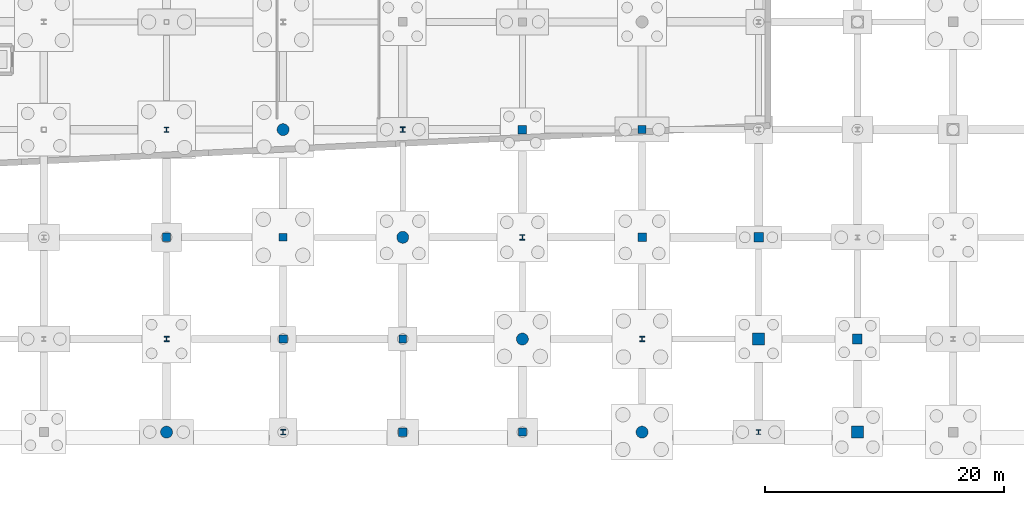
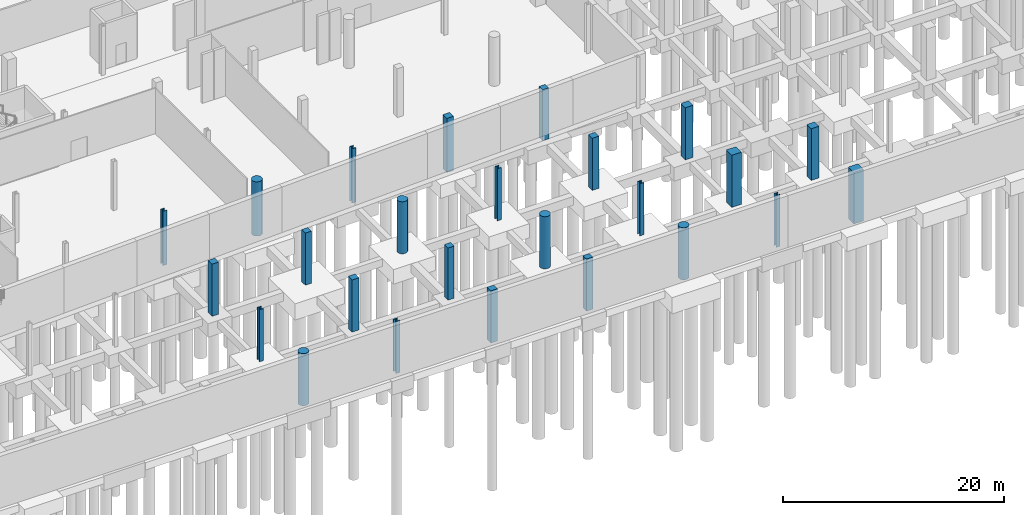
# One storey, part 20 of 60: 25 columns.
"""IFC4 building model written with IfcOpenShell, lengths in metres."""

import ifcopenshell
import ifcopenshell.guid

model = None  # the IFC model being written
_history = None  # IfcOwnerHistory: only IFC2X3 demands one
_inside = {}  # id of a spatial element -> (the spatial element, [elements in it])
_under = {}  # id of a project, library or spatial element -> (it, [spatial elements below it])
_declared = {}  # id of a project -> (the project, [libraries it declares])
_typed = {}  # id of a type object -> (the type object, [elements of that type])
_made_of = {}  # id of a material, layer set ... -> (it, [elements and type objects made of it])


def new_model(schema):
    """Start an empty IFC model of exactly this schema.

    Asked for "IFC4X3", IfcOpenShell would pick the latest addendum, in which some entities
    have other attributes; the version numbers below select the first issue.
    IFC2X3 requires an IfcOwnerHistory on every rooted entity: one is made here for all.
    """
    global model, _history
    if schema == "IFC4X3":
        model = ifcopenshell.file(schema_version=(4, 3, 0, 0))
    else:
        model = ifcopenshell.file(schema=schema)
    _inside.clear()
    _under.clear()
    _declared.clear()
    _typed.clear()
    _made_of.clear()
    _history = None
    if model.schema == "IFC2X3":
        org = make("IfcOrganization", Name="unknown")
        user = make(
            "IfcPersonAndOrganization",
            ThePerson=make("IfcPerson", FamilyName="unknown"),
            TheOrganization=org,
        )
        app = make(
            "IfcApplication",
            ApplicationDeveloper=org,
            Version="unknown",
            ApplicationFullName="unknown",
            ApplicationIdentifier="unknown",
        )
        _history = make(
            "IfcOwnerHistory",
            OwningUser=user,
            OwningApplication=app,
            ChangeAction="ADDED",
            CreationDate=0,
        )
    return model


def make(cls, **values):
    """One entity of the class cls with the attributes given. An attribute that is None is left unset."""
    return model.create_entity(
        cls, **{name: value for name, value in values.items() if value is not None}
    )


def rooted(cls, **values):
    """An entity with a GlobalId (a new one), such as an element, a storey or a relation."""
    return make(cls, GlobalId=ifcopenshell.guid.new(), OwnerHistory=_history, **values)


def si_unit(unit_type, name, prefix=None):
    """IfcSIUnit, for example si_unit("LENGTHUNIT", "METRE", prefix="MILLI")."""
    return make("IfcSIUnit", UnitType=unit_type, Prefix=prefix, Name=name)


def assignment(units):
    """IfcUnitAssignment: the units of a project."""
    return None if units is None else make("IfcUnitAssignment", Units=units)


def point(xyz):
    """IfcCartesianPoint."""
    return None if xyz is None else make("IfcCartesianPoint", Coordinates=xyz)


def direction(xyz):
    """IfcDirection."""
    return None if xyz is None else make("IfcDirection", DirectionRatios=xyz)


def frame(location, z_axis=None, x_axis=None):
    """IfcAxis2Placement3D, a coordinate frame: its origin and axes. An axis left out is left unset."""
    return make(
        "IfcAxis2Placement3D",
        Location=point(location),
        Axis=direction(z_axis),
        RefDirection=direction(x_axis),
    )


def frame_2d(location, x_axis=None):
    """IfcAxis2Placement2D, a coordinate frame in the plane: its origin and x axis."""
    return make(
        "IfcAxis2Placement2D", Location=point(location), RefDirection=direction(x_axis)
    )


def origin():
    """The frame at (0, 0, 0) with its axes left unset."""
    return frame((0.0, 0.0, 0.0))


def origin_2d():
    """The frame at (0, 0) in the plane with its x axis left unset."""
    return frame_2d((0.0, 0.0))


def place(relative_to, where):
    """IfcLocalPlacement: puts the frame where relative to a parent placement (None: the world)."""
    return make(
        "IfcLocalPlacement", PlacementRelTo=relative_to, RelativePlacement=where
    )


def context(
    kind, dimensions, precision=None, world=None, true_north=None, identifier=None
):
    """IfcGeometricRepresentationContext, for example the 3D "Model" context."""
    return make(
        "IfcGeometricRepresentationContext",
        ContextIdentifier=identifier,
        ContextType=kind,
        CoordinateSpaceDimension=dimensions,
        Precision=precision,
        WorldCoordinateSystem=world,
        TrueNorth=true_north,
    )


def subcontext(parent, identifier, kind, view, scale=None):
    """IfcGeometricRepresentationSubContext, for example "Body" below "Model"."""
    return make(
        "IfcGeometricRepresentationSubContext",
        ContextIdentifier=identifier,
        ContextType=kind,
        ParentContext=parent,
        TargetScale=scale,
        TargetView=view,
    )


def project(units=None, contexts=None):
    """IfcProject with its units and contexts."""
    return rooted(
        "IfcProject",
        Name="project",
        RepresentationContexts=contexts,
        UnitsInContext=assignment(units),
    )


def spatial(cls, under=None, at=None, **own):
    """A site, building, storey or space (cls), placed at a placement, below another one or the project."""
    s = rooted(cls, ObjectPlacement=at, **own)
    if under is not None:
        _under.setdefault(under.id(), (under, []))[1].append(s)
    return s


def profile(cls, at=None, kind="AREA", **sizes):
    """A parametric profile (cls). Its sizes go by their IFC names, for example OverallWidth=200.0."""
    return make(cls, ProfileType=kind, Position=at, **sizes)


def rectangle(**sizes):
    """IfcRectangleProfileDef."""
    return profile("IfcRectangleProfileDef", **sizes)


def circle(**sizes):
    """IfcCircleProfileDef."""
    return profile("IfcCircleProfileDef", **sizes)


def i_section(**sizes):
    """IfcIShapeProfileDef."""
    return profile("IfcIShapeProfileDef", **sizes)


def extrude(swept, where, along, depth):
    """IfcExtrudedAreaSolid: the profile swept, set in the frame where, extruded along a direction by depth."""
    return make(
        "IfcExtrudedAreaSolid",
        SweptArea=swept,
        Position=where,
        ExtrudedDirection=direction(along),
        Depth=depth,
    )


def shape(context_of_items, identifier, shape_type, items):
    """IfcShapeRepresentation: the items that make up one representation, for example the "Body"."""
    return make(
        "IfcShapeRepresentation",
        ContextOfItems=context_of_items,
        RepresentationIdentifier=identifier,
        RepresentationType=shape_type,
        Items=items,
    )


def material(Name=None, Category=None):
    """IfcMaterial."""
    return make("IfcMaterial", Name=Name, Category=Category)


def material_profile(
    of_material, cross_section, Name=None, Category=None, Priority=None
):
    """IfcMaterialProfile: a cross section and its material."""
    return make(
        "IfcMaterialProfile",
        Name=Name,
        Material=of_material,
        Profile=cross_section,
        Priority=Priority,
        Category=Category,
    )


def profile_set(profiles, Name=None, composite=None):
    """IfcMaterialProfileSet."""
    return make(
        "IfcMaterialProfileSet",
        Name=Name,
        MaterialProfiles=profiles,
        CompositeProfile=composite,
    )


def made_of(thing, what):
    """Note that an element or type object is made of a material, layer set ...; save() writes the relation."""
    if what is not None:
        _made_of.setdefault(what.id(), (what, []))[1].append(thing)
    return thing


def type_object(cls, material=None, **own):
    """A type object (cls), such as IfcWallType, which elements share."""
    return made_of(rooted(cls, **own), material)


def element(
    cls,
    number,
    at=None,
    inside=None,
    cuts=None,
    type_object=None,
    material=None,
    context=None,
    identifier="Body",
    shape_type=None,
    held_by="IfcProductDefinitionShape",
    body=None,
    shapes=None,
    **own,
):
    """One element of the class cls, such as IfcWall. Its Tag is "e" and its number.

    at: its placement. inside: the storey or other place that contains it. cuts: it is an
    opening in that element (IfcRelVoidsElement). A single representation is given by context,
    identifier, shape_type and body (its items); several are given by shapes. held_by: the class
    of the entity that holds the representations. save() writes the other relations.
    """
    e = rooted(cls, Tag="e%d" % number, ObjectPlacement=at, **own)
    if body is not None:
        shapes = [shape(context, identifier, shape_type, body)]
    if shapes is not None:
        e.Representation = make(held_by, Representations=shapes)
    if inside is not None:
        _inside.setdefault(inside.id(), (inside, []))[1].append(e)
    if cuts is not None:
        rooted(
            "IfcRelVoidsElement", RelatingBuildingElement=cuts, RelatedOpeningElement=e
        )
    if type_object is not None:
        _typed.setdefault(type_object.id(), (type_object, []))[1].append(e)
    return made_of(e, material)


def aggregate(whole, parts):
    """IfcRelAggregates: a whole, such as a stair, and the parts it consists of."""
    return rooted("IfcRelAggregates", RelatingObject=whole, RelatedObjects=parts)


def save(model, path):
    """Write the relations noted so far, then the file.

    IfcRelAggregates (storeys below a building ...), IfcRelContainedInSpatialStructure (elements
    in a storey), IfcRelDefinesByType, IfcRelAssociatesMaterial and IfcRelDeclares: one each for
    every whole, place, type object, material and project.
    """
    for whole, parts in _under.values():
        aggregate(whole, parts)
    for where, things in _inside.values():
        rooted(
            "IfcRelContainedInSpatialStructure",
            RelatedElements=things,
            RelatingStructure=where,
        )
    for kind, things in _typed.values():
        rooted("IfcRelDefinesByType", RelatedObjects=things, RelatingType=kind)
    for what, things in _made_of.values():
        rooted("IfcRelAssociatesMaterial", RelatedObjects=things, RelatingMaterial=what)
    for by, libraries in _declared.values():
        rooted("IfcRelDeclares", RelatingContext=by, RelatedDefinitions=libraries)
    model.write(path)


model = new_model("IFC4")

# Units and contexts
model_context = context("Model", 3, precision=1e-05, world=origin(), true_north=direction((0.0, 1.0)))
body_context = subcontext(model_context, "Body", "Model", "MODEL_VIEW")
ifc_project = project(units=[si_unit("LENGTHUNIT", "METRE"), si_unit("AREAUNIT", "SQUARE_METRE"), si_unit("VOLUMEUNIT", "CUBIC_METRE"), si_unit("PLANEANGLEUNIT", "RADIAN"), si_unit("MASSUNIT", "GRAM", prefix="KILO")], contexts=[model_context])

# Site, building, storey
site_placement = place(None, origin())
site = spatial("IfcSite", under=ifc_project, at=site_placement, CompositionType="ELEMENT")
building_placement = place(site_placement, origin())
building = spatial("IfcBuilding", under=site, at=building_placement, Name="Trimount Lyric Opera House", CompositionType="ELEMENT")
storey_placement = place(building_placement, frame((0.0, 0.0, -5.39990234375)))
storey = spatial("IfcBuildingStorey", under=building, at=storey_placement, Name="B1", CompositionType="ELEMENT", Elevation=-5.39990234375)

# Columns
ifc_material_1 = material(Name="Steel ASTM A992 Grade 50", Category="steel")
ifc_material_profile_1 = material_profile(ifc_material_1, i_section(OverallWidth=0.406005859375, OverallDepth=0.4169921875, WebThickness=0.02978515625, FlangeThickness=0.048095703125, FilletRadius=0.01806640625, at=origin_2d()), Name="W14X257")
ifc_profile_set_1 = profile_set([ifc_material_profile_1], Name="Steel ASTM A992 Grade 50")
column_type_1 = type_object("IfcColumnType", Name="C-02", PredefinedType="COLUMN", material=ifc_profile_set_1)
column_1_placement = place(storey_placement, frame((64.260009765625, 26.0, -0.60009765625), z_axis=(0.0, 0.0, 1.0), x_axis=(1.0, 0.0, 0.0)))
element("IfcColumn", 1, at=column_1_placement, inside=storey, type_object=column_type_1, Name="B1 column 8/D", PredefinedType="COLUMN", context=body_context, shape_type="SweptSolid", body=[
    extrude(i_section(OverallWidth=0.406005859375, OverallDepth=0.4169921875, WebThickness=0.02978515625, FlangeThickness=0.048095703125, FilletRadius=0.01806640625, at=origin_2d()), origin(), (0.0, 0.0, 1.0), 6.0),
])
ifc_material_2 = material(Name="Steel ASTM A992 Grade 50", Category="steel")
ifc_material_profile_2 = material_profile(ifc_material_2, i_section(OverallWidth=0.39892578125, OverallDepth=0.385986328125, WebThickness=0.02099609375, FlangeThickness=0.033203125, FilletRadius=0.01611328125, at=origin_2d()), Name="W14X176")
ifc_profile_set_2 = profile_set([ifc_material_profile_2], Name="Steel ASTM A992 Grade 50")
column_type_2 = type_object("IfcColumnType", Name="C-03", PredefinedType="COLUMN", material=ifc_profile_set_2)
column_2_placement = place(storey_placement, frame((113.739990234375, 0.719970703125, -0.60009765625), z_axis=(0.0, 0.0, 1.0), x_axis=(1.0, 0.0, 0.0)))
element("IfcColumn", 2, at=column_2_placement, inside=storey, type_object=column_type_2, Name="B1 column 13/A", PredefinedType="COLUMN", context=body_context, shape_type="SweptSolid", body=[
    extrude(i_section(OverallWidth=0.39892578125, OverallDepth=0.385986328125, WebThickness=0.02099609375, FlangeThickness=0.033203125, FilletRadius=0.01611328125, at=origin_2d()), origin(), (0.0, 0.0, 1.0), 5.760009765625),
])
ifc_material_3 = material(Name="Steel ASTM A992 Grade 50", Category="steel")
ifc_material_profile_3 = material_profile(ifc_material_3, i_section(OverallWidth=0.422119140625, OverallDepth=0.465087890625, WebThickness=0.044921875, FlangeThickness=0.072509765625, FilletRadius=0.02001953125, at=origin_2d()), Name="W14X398")
ifc_profile_set_3 = profile_set([ifc_material_profile_3], Name="Steel ASTM A992 Grade 50")
column_type_3 = type_object("IfcColumnType", Name="C-10", PredefinedType="COLUMN", material=ifc_profile_set_3)
for number, where, z_axis, x_axis, name in (
    (3, (64.260009765625, 8.5, -0.60009765625), (0.0, 0.0, 1.0), (1.0, 0.0, 0.0), "B1 column 8/B"),
    (4, (74.0, 0.719970703125, -0.60009765625), (0.0, 0.0, 1.0), (1.0, 0.0, 0.0), "B1 column 9/A"),
):
    element("IfcColumn", number, at=place(storey_placement, frame(where, z_axis=z_axis, x_axis=x_axis)), inside=storey, type_object=column_type_3, Name=name, PredefinedType="COLUMN", context=body_context, shape_type="SweptSolid", body=[
        extrude(i_section(OverallWidth=0.422119140625, OverallDepth=0.465087890625, WebThickness=0.044921875, FlangeThickness=0.072509765625, FilletRadius=0.02001953125, at=origin_2d()), origin(), (0.0, 0.0, 1.0), 5.760009765625),
    ])
column_3_placement = place(storey_placement, frame((84.0, 26.0, -0.60009765625), z_axis=(0.0, 0.0, 1.0), x_axis=(1.0, 0.0, 0.0)))
element("IfcColumn", 5, at=column_3_placement, inside=storey, type_object=column_type_3, Name="B1 column 10/D", PredefinedType="COLUMN", context=body_context, shape_type="SweptSolid", body=[
    extrude(i_section(OverallWidth=0.422119140625, OverallDepth=0.465087890625, WebThickness=0.044921875, FlangeThickness=0.072509765625, FilletRadius=0.02001953125, at=origin_2d()), origin(), (0.0, 0.0, 1.0), 6.0),
])
for number, where, z_axis, x_axis, name in (
    (6, (94.0, 17.0, -0.60009765625), (0.0, 0.0, 1.0), (1.0, 0.0, 0.0), "B1 column 11/C"),
    (7, (104.0, 8.5, -0.60009765625), (0.0, 0.0, 1.0), (1.0, 0.0, 0.0), "B1 column 12/B"),
):
    element("IfcColumn", number, at=place(storey_placement, frame(where, z_axis=z_axis, x_axis=x_axis)), inside=storey, type_object=column_type_3, Name=name, PredefinedType="COLUMN", context=body_context, shape_type="SweptSolid", body=[
        extrude(i_section(OverallWidth=0.422119140625, OverallDepth=0.465087890625, WebThickness=0.044921875, FlangeThickness=0.072509765625, FilletRadius=0.02001953125, at=origin_2d()), origin(), (0.0, 0.0, 1.0), 5.760009765625),
    ])
ifc_material_4 = material(Name="Concrete C50/60", Category="concrete")
ifc_material_profile_4 = material_profile(ifc_material_4, rectangle(XDim=1.0, YDim=1.0, at=origin_2d()), Name="RC1000X1000")
ifc_profile_set_4 = profile_set([ifc_material_profile_4], Name="Concrete C50/60")
column_type_4 = type_object("IfcColumnType", Name="C-12", PredefinedType="COLUMN", material=ifc_profile_set_4)
column_4_placement = place(storey_placement, frame((113.739990234375, 8.5, -0.60009765625), z_axis=(0.0, 0.0, 1.0), x_axis=(1.0, 0.0, 0.0)))
element("IfcColumn", 8, at=column_4_placement, inside=storey, type_object=column_type_4, Name="B1 column 13/B", PredefinedType="COLUMN", context=body_context, shape_type="SweptSolid", body=[
    extrude(rectangle(XDim=1.0, YDim=1.0, at=origin_2d()), origin(), (0.0, 0.0, 1.0), 5.760009765625),
])
column_5_placement = place(storey_placement, frame((122.0, 0.719970703125, -0.60009765625), z_axis=(0.0, 0.0, 1.0), x_axis=(1.0, 0.0, 0.0)))
element("IfcColumn", 9, at=column_5_placement, inside=storey, type_object=column_type_4, Name="B1 column 14/A", PredefinedType="COLUMN", context=body_context, shape_type="SweptSolid", body=[
    extrude(rectangle(XDim=1.0, YDim=1.0, at=origin_2d()), origin(), (0.0, 0.0, 1.0), 5.699951171875),
])
ifc_material_5 = material(Name="Concrete C40/50", Category="concrete")
ifc_material_profile_5 = material_profile(ifc_material_5, rectangle(XDim=0.800048828125, YDim=0.800048828125, at=origin_2d()), Name="RC800X800")
ifc_profile_set_5 = profile_set([ifc_material_profile_5], Name="Concrete C40/50")
column_type_5 = type_object("IfcColumnType", Name="C-14", PredefinedType="COLUMN", material=ifc_profile_set_5)
column_6_placement = place(storey_placement, frame((113.739990234375, 17.0, -0.60009765625), z_axis=(0.0, 0.0, 1.0), x_axis=(1.0, 0.0, 0.0)))
element("IfcColumn", 10, at=column_6_placement, inside=storey, type_object=column_type_5, Name="B1 column 13/C", PredefinedType="COLUMN", context=body_context, shape_type="SweptSolid", body=[
    extrude(rectangle(XDim=0.800048828125, YDim=0.800048828125, at=origin_2d()), origin(), (0.0, 0.0, 1.0), 5.760009765625),
])
column_7_placement = place(storey_placement, frame((122.0, 8.5, -0.60009765625), z_axis=(0.0, 0.0, 1.0), x_axis=(1.0, 0.0, 0.0)))
element("IfcColumn", 11, at=column_7_placement, inside=storey, type_object=column_type_5, Name="B1 column 14/B", PredefinedType="COLUMN", context=body_context, shape_type="SweptSolid", body=[
    extrude(rectangle(XDim=0.800048828125, YDim=0.800048828125, at=origin_2d()), origin(), (0.0, 0.0, 1.0), 5.699951171875),
])
ifc_material_6 = material(Name="Concrete C40/50", Category="concrete")
ifc_material_profile_6 = material_profile(ifc_material_6, rectangle(XDim=0.699951171875, YDim=0.699951171875, at=origin_2d()), Name="RC700X700")
ifc_profile_set_6 = profile_set([ifc_material_profile_6], Name="Concrete C40/50")
column_type_6 = type_object("IfcColumnType", Name="C-16", PredefinedType="COLUMN", material=ifc_profile_set_6)
for number, where, z_axis, x_axis, name in (
    (12, (64.260009765625, 17.0, -0.60009765625), (0.0, 0.0, 1.0), (1.0, 0.0, 0.0), "B1 column 8/C"),
    (13, (74.0, 8.5, -0.60009765625), (0.0, 0.0, 1.0), (1.0, 0.0, 0.0), "B1 column 9/B"),
    (14, (84.0, 0.719970703125, -0.60009765625), (0.0, 0.0, 1.0), (1.0, 0.0, 0.0), "B1 column 10/A"),
):
    element("IfcColumn", number, at=place(storey_placement, frame(where, z_axis=z_axis, x_axis=x_axis)), inside=storey, type_object=column_type_6, Name=name, PredefinedType="COLUMN", context=body_context, shape_type="SweptSolid", body=[
        extrude(rectangle(XDim=0.699951171875, YDim=0.699951171875, at=origin_2d()), origin(), (0.0, 0.0, 1.0), 5.760009765625),
    ])
column_8_placement = place(storey_placement, frame((94.0, 26.0, -0.60009765625), z_axis=(0.0, 0.0, 1.0), x_axis=(1.0, 0.0, 0.0)))
element("IfcColumn", 15, at=column_8_placement, inside=storey, type_object=column_type_6, Name="B1 column 11/D", PredefinedType="COLUMN", context=body_context, shape_type="SweptSolid", body=[
    extrude(rectangle(XDim=0.699951171875, YDim=0.699951171875, at=origin_2d()), origin(), (0.0, 0.0, 1.0), 6.0),
])
column_9_placement = place(storey_placement, frame((104.0, 17.0, -0.60009765625), z_axis=(0.0, 0.0, 1.0), x_axis=(1.0, 0.0, 0.0)))
element("IfcColumn", 16, at=column_9_placement, inside=storey, type_object=column_type_6, Name="B1 column 12/C", PredefinedType="COLUMN", context=body_context, shape_type="SweptSolid", body=[
    extrude(rectangle(XDim=0.699951171875, YDim=0.699951171875, at=origin_2d()), origin(), (0.0, 0.0, 1.0), 5.760009765625),
])
ifc_material_7 = material(Name="Concrete C40/50", Category="concrete")
ifc_material_profile_7 = material_profile(ifc_material_7, rectangle(XDim=0.64990234375, YDim=0.64990234375, at=origin_2d()), Name="RC650X650")
ifc_profile_set_7 = profile_set([ifc_material_profile_7], Name="Concrete C40/50")
column_type_7 = type_object("IfcColumnType", Name="C-17", PredefinedType="COLUMN", material=ifc_profile_set_7)
for number, where, z_axis, x_axis, name in (
    (17, (74.0, 17.0, -0.60009765625), (0.0, 0.0, 1.0), (1.0, 0.0, 0.0), "B1 column 9/C"),
    (18, (84.0, 8.5, -0.60009765625), (0.0, 0.0, 1.0), (1.0, 0.0, 0.0), "B1 column 10/B"),
    (19, (94.0, 0.719970703125, -0.60009765625), (0.0, 0.0, 1.0), (1.0, 0.0, 0.0), "B1 column 11/A"),
):
    element("IfcColumn", number, at=place(storey_placement, frame(where, z_axis=z_axis, x_axis=x_axis)), inside=storey, type_object=column_type_7, Name=name, PredefinedType="COLUMN", context=body_context, shape_type="SweptSolid", body=[
        extrude(rectangle(XDim=0.64990234375, YDim=0.64990234375, at=origin_2d()), origin(), (0.0, 0.0, 1.0), 5.760009765625),
    ])
column_10_placement = place(storey_placement, frame((104.0, 26.0, -0.60009765625), z_axis=(0.0, 0.0, 1.0), x_axis=(1.0, 0.0, 0.0)))
element("IfcColumn", 20, at=column_10_placement, inside=storey, type_object=column_type_7, Name="B1 column 12/D", PredefinedType="COLUMN", context=body_context, shape_type="SweptSolid", body=[
    extrude(rectangle(XDim=0.64990234375, YDim=0.64990234375, at=origin_2d()), origin(), (0.0, 0.0, 1.0), 5.6201171875),
])
ifc_material_8 = material(Name="Concrete C50/60", Category="concrete")
ifc_material_profile_8 = material_profile(ifc_material_8, circle(Radius=0.5, at=origin_2d()), Name="RC-D1000")
ifc_profile_set_8 = profile_set([ifc_material_profile_8], Name="Concrete C50/60")
column_type_8 = type_object("IfcColumnType", Name="C-18", PredefinedType="COLUMN", material=ifc_profile_set_8)
column_11_placement = place(storey_placement, frame((64.260009765625, 0.719970703125, -0.60009765625), z_axis=(0.0, 0.0, 1.0), x_axis=(1.0, 0.0, 0.0)))
element("IfcColumn", 21, at=column_11_placement, inside=storey, type_object=column_type_8, Name="B1 column 8/A", PredefinedType="COLUMN", context=body_context, shape_type="SweptSolid", body=[
    extrude(circle(Radius=0.5, at=origin_2d()), origin(), (0.0, 0.0, 1.0), 5.760009765625),
])
column_12_placement = place(storey_placement, frame((74.0, 26.0, -0.60009765625), z_axis=(0.0, 0.0, 1.0), x_axis=(1.0, 0.0, 0.0)))
element("IfcColumn", 22, at=column_12_placement, inside=storey, type_object=column_type_8, Name="B1 column 9/D", PredefinedType="COLUMN", context=body_context, shape_type="SweptSolid", body=[
    extrude(circle(Radius=0.5, at=origin_2d()), origin(), (0.0, 0.0, 1.0), 6.0),
])
for number, where, z_axis, x_axis, name in (
    (23, (84.0, 17.0, -0.60009765625), (0.0, 0.0, 1.0), (1.0, 0.0, 0.0), "B1 column 10/C"),
    (24, (94.0, 8.5, -0.60009765625), (0.0, 0.0, 1.0), (1.0, 0.0, 0.0), "B1 column 11/B"),
    (25, (104.0, 0.719970703125, -0.60009765625), (0.0, 0.0, 1.0), (1.0, 0.0, 0.0), "B1 column 12/A"),
):
    element("IfcColumn", number, at=place(storey_placement, frame(where, z_axis=z_axis, x_axis=x_axis)), inside=storey, type_object=column_type_8, Name=name, PredefinedType="COLUMN", context=body_context, shape_type="SweptSolid", body=[
        extrude(circle(Radius=0.5, at=origin_2d()), origin(), (0.0, 0.0, 1.0), 5.760009765625),
    ])

save(model, "model.ifc")
